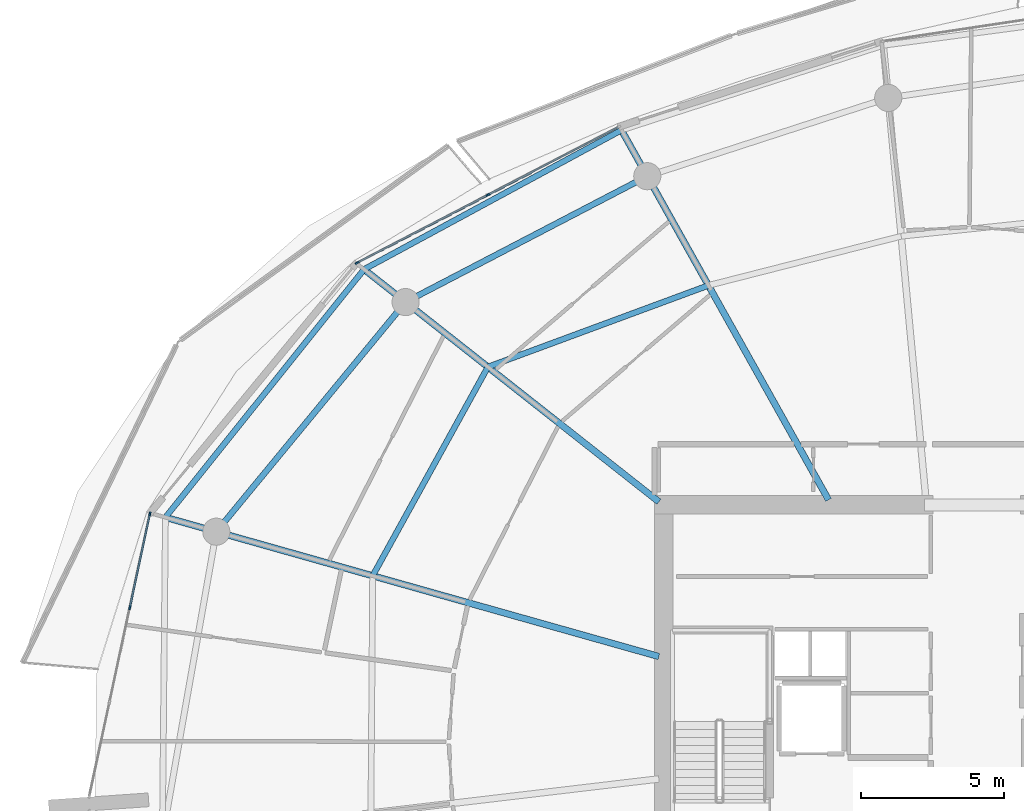
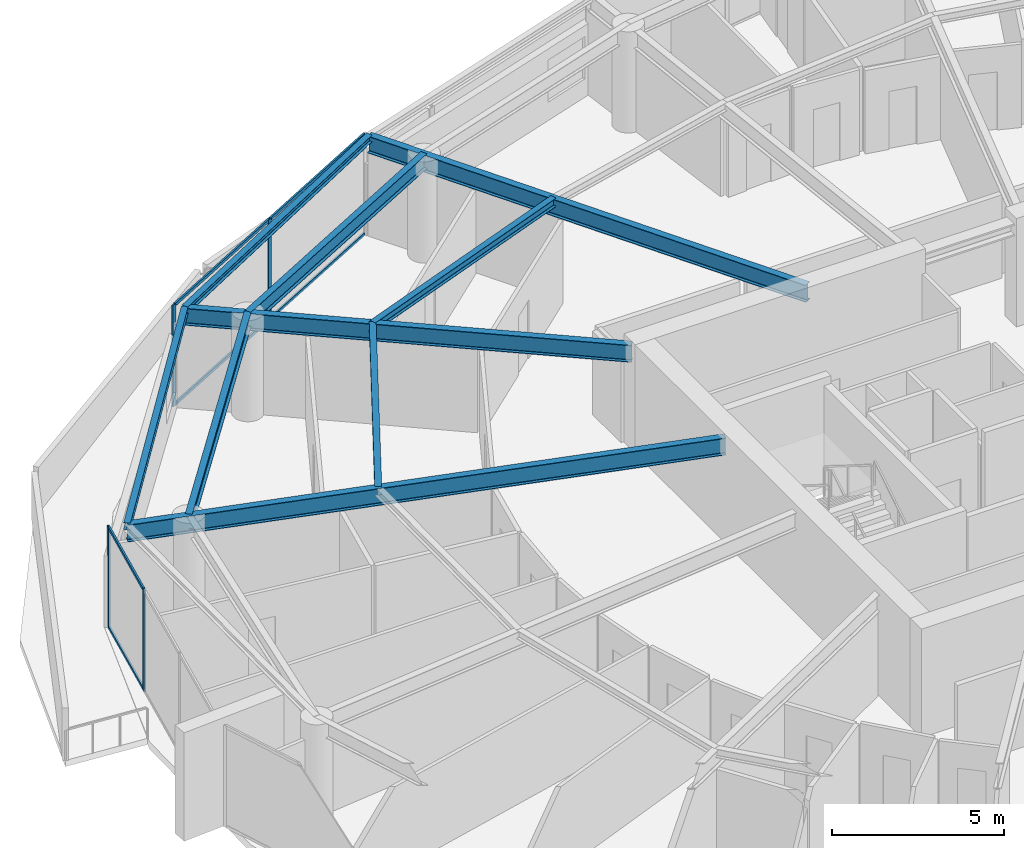
# One storey, part 12 of 31: 10 members, 9 beams, 2 elements without a shape of their own.
"""IFC4 building model written with IfcOpenShell, lengths in metres."""

import ifcopenshell
import ifcopenshell.guid

model = None  # the IFC model being written
_history = None  # IfcOwnerHistory: only IFC2X3 demands one
_inside = {}  # id of a spatial element -> (the spatial element, [elements in it])
_under = {}  # id of a project, library or spatial element -> (it, [spatial elements below it])
_declared = {}  # id of a project -> (the project, [libraries it declares])
_typed = {}  # id of a type object -> (the type object, [elements of that type])
_made_of = {}  # id of a material, layer set ... -> (it, [elements and type objects made of it])


def new_model(schema):
    """Start an empty IFC model of exactly this schema.

    Asked for "IFC4X3", IfcOpenShell would pick the latest addendum, in which some entities
    have other attributes; the version numbers below select the first issue.
    IFC2X3 requires an IfcOwnerHistory on every rooted entity: one is made here for all.
    """
    global model, _history
    if schema == "IFC4X3":
        model = ifcopenshell.file(schema_version=(4, 3, 0, 0))
    else:
        model = ifcopenshell.file(schema=schema)
    _inside.clear()
    _under.clear()
    _declared.clear()
    _typed.clear()
    _made_of.clear()
    _history = None
    if model.schema == "IFC2X3":
        org = make("IfcOrganization", Name="unknown")
        user = make(
            "IfcPersonAndOrganization",
            ThePerson=make("IfcPerson", FamilyName="unknown"),
            TheOrganization=org,
        )
        app = make(
            "IfcApplication",
            ApplicationDeveloper=org,
            Version="unknown",
            ApplicationFullName="unknown",
            ApplicationIdentifier="unknown",
        )
        _history = make(
            "IfcOwnerHistory",
            OwningUser=user,
            OwningApplication=app,
            ChangeAction="ADDED",
            CreationDate=0,
        )
    return model


def make(cls, **values):
    """One entity of the class cls with the attributes given. An attribute that is None is left unset."""
    return model.create_entity(
        cls, **{name: value for name, value in values.items() if value is not None}
    )


def rooted(cls, **values):
    """An entity with a GlobalId (a new one), such as an element, a storey or a relation."""
    return make(cls, GlobalId=ifcopenshell.guid.new(), OwnerHistory=_history, **values)


def si_unit(unit_type, name, prefix=None):
    """IfcSIUnit, for example si_unit("LENGTHUNIT", "METRE", prefix="MILLI")."""
    return make("IfcSIUnit", UnitType=unit_type, Prefix=prefix, Name=name)


def assignment(units):
    """IfcUnitAssignment: the units of a project."""
    return None if units is None else make("IfcUnitAssignment", Units=units)


def point(xyz):
    """IfcCartesianPoint."""
    return None if xyz is None else make("IfcCartesianPoint", Coordinates=xyz)


def direction(xyz):
    """IfcDirection."""
    return None if xyz is None else make("IfcDirection", DirectionRatios=xyz)


def frame(location, z_axis=None, x_axis=None):
    """IfcAxis2Placement3D, a coordinate frame: its origin and axes. An axis left out is left unset."""
    return make(
        "IfcAxis2Placement3D",
        Location=point(location),
        Axis=direction(z_axis),
        RefDirection=direction(x_axis),
    )


def frame_2d(location, x_axis=None):
    """IfcAxis2Placement2D, a coordinate frame in the plane: its origin and x axis."""
    return make(
        "IfcAxis2Placement2D", Location=point(location), RefDirection=direction(x_axis)
    )


def origin():
    """The frame at (0, 0, 0) with its axes left unset."""
    return frame((0.0, 0.0, 0.0))


def origin_2d():
    """The frame at (0, 0) in the plane with its x axis left unset."""
    return frame_2d((0.0, 0.0))


def place(relative_to, where):
    """IfcLocalPlacement: puts the frame where relative to a parent placement (None: the world)."""
    return make(
        "IfcLocalPlacement", PlacementRelTo=relative_to, RelativePlacement=where
    )


def context(
    kind, dimensions, precision=None, world=None, true_north=None, identifier=None
):
    """IfcGeometricRepresentationContext, for example the 3D "Model" context."""
    return make(
        "IfcGeometricRepresentationContext",
        ContextIdentifier=identifier,
        ContextType=kind,
        CoordinateSpaceDimension=dimensions,
        Precision=precision,
        WorldCoordinateSystem=world,
        TrueNorth=true_north,
    )


def subcontext(parent, identifier, kind, view, scale=None):
    """IfcGeometricRepresentationSubContext, for example "Body" below "Model"."""
    return make(
        "IfcGeometricRepresentationSubContext",
        ContextIdentifier=identifier,
        ContextType=kind,
        ParentContext=parent,
        TargetScale=scale,
        TargetView=view,
    )


def project(units=None, contexts=None):
    """IfcProject with its units and contexts."""
    return rooted(
        "IfcProject",
        Name="project",
        RepresentationContexts=contexts,
        UnitsInContext=assignment(units),
    )


def spatial(cls, under=None, at=None, **own):
    """A site, building, storey or space (cls), placed at a placement, below another one or the project."""
    s = rooted(cls, ObjectPlacement=at, **own)
    if under is not None:
        _under.setdefault(under.id(), (under, []))[1].append(s)
    return s


def profile(cls, at=None, kind="AREA", **sizes):
    """A parametric profile (cls). Its sizes go by their IFC names, for example OverallWidth=200.0."""
    return make(cls, ProfileType=kind, Position=at, **sizes)


def rectangle(**sizes):
    """IfcRectangleProfileDef."""
    return profile("IfcRectangleProfileDef", **sizes)


def i_section(**sizes):
    """IfcIShapeProfileDef."""
    return profile("IfcIShapeProfileDef", **sizes)


def extrude(swept, where, along, depth):
    """IfcExtrudedAreaSolid: the profile swept, set in the frame where, extruded along a direction by depth."""
    return make(
        "IfcExtrudedAreaSolid",
        SweptArea=swept,
        Position=where,
        ExtrudedDirection=direction(along),
        Depth=depth,
    )


def shape(context_of_items, identifier, shape_type, items):
    """IfcShapeRepresentation: the items that make up one representation, for example the "Body"."""
    return make(
        "IfcShapeRepresentation",
        ContextOfItems=context_of_items,
        RepresentationIdentifier=identifier,
        RepresentationType=shape_type,
        Items=items,
    )


def material(Name=None, Category=None):
    """IfcMaterial."""
    return make("IfcMaterial", Name=Name, Category=Category)


def layer(
    of_material, thickness, ventilated=None, Name=None, Category=None, Priority=None
):
    """IfcMaterialLayer: one layer of a wall or slab, of a material (None: an air gap)."""
    return make(
        "IfcMaterialLayer",
        Material=of_material,
        LayerThickness=thickness,
        IsVentilated=ventilated,
        Name=Name,
        Category=Category,
        Priority=Priority,
    )


def layer_set(layers, Name=None):
    """IfcMaterialLayerSet."""
    return make("IfcMaterialLayerSet", MaterialLayers=layers, LayerSetName=Name)


def material_profile(
    of_material, cross_section, Name=None, Category=None, Priority=None
):
    """IfcMaterialProfile: a cross section and its material."""
    return make(
        "IfcMaterialProfile",
        Name=Name,
        Material=of_material,
        Profile=cross_section,
        Priority=Priority,
        Category=Category,
    )


def profile_set(profiles, Name=None, composite=None):
    """IfcMaterialProfileSet."""
    return make(
        "IfcMaterialProfileSet",
        Name=Name,
        MaterialProfiles=profiles,
        CompositeProfile=composite,
    )


def made_of(thing, what):
    """Note that an element or type object is made of a material, layer set ...; save() writes the relation."""
    if what is not None:
        _made_of.setdefault(what.id(), (what, []))[1].append(thing)
    return thing


def type_object(cls, material=None, **own):
    """A type object (cls), such as IfcWallType, which elements share."""
    return made_of(rooted(cls, **own), material)


def element(
    cls,
    number,
    at=None,
    inside=None,
    cuts=None,
    type_object=None,
    material=None,
    context=None,
    identifier="Body",
    shape_type=None,
    held_by="IfcProductDefinitionShape",
    body=None,
    shapes=None,
    **own,
):
    """One element of the class cls, such as IfcWall. Its Tag is "e" and its number.

    at: its placement. inside: the storey or other place that contains it. cuts: it is an
    opening in that element (IfcRelVoidsElement). A single representation is given by context,
    identifier, shape_type and body (its items); several are given by shapes. held_by: the class
    of the entity that holds the representations. save() writes the other relations.
    """
    e = rooted(cls, Tag="e%d" % number, ObjectPlacement=at, **own)
    if body is not None:
        shapes = [shape(context, identifier, shape_type, body)]
    if shapes is not None:
        e.Representation = make(held_by, Representations=shapes)
    if inside is not None:
        _inside.setdefault(inside.id(), (inside, []))[1].append(e)
    if cuts is not None:
        rooted(
            "IfcRelVoidsElement", RelatingBuildingElement=cuts, RelatedOpeningElement=e
        )
    if type_object is not None:
        _typed.setdefault(type_object.id(), (type_object, []))[1].append(e)
    return made_of(e, material)


def aggregate(whole, parts):
    """IfcRelAggregates: a whole, such as a stair, and the parts it consists of."""
    return rooted("IfcRelAggregates", RelatingObject=whole, RelatedObjects=parts)


def save(model, path):
    """Write the relations noted so far, then the file.

    IfcRelAggregates (storeys below a building ...), IfcRelContainedInSpatialStructure (elements
    in a storey), IfcRelDefinesByType, IfcRelAssociatesMaterial and IfcRelDeclares: one each for
    every whole, place, type object, material and project.
    """
    for whole, parts in _under.values():
        aggregate(whole, parts)
    for where, things in _inside.values():
        rooted(
            "IfcRelContainedInSpatialStructure",
            RelatedElements=things,
            RelatingStructure=where,
        )
    for kind, things in _typed.values():
        rooted("IfcRelDefinesByType", RelatedObjects=things, RelatingType=kind)
    for what, things in _made_of.values():
        rooted("IfcRelAssociatesMaterial", RelatedObjects=things, RelatingMaterial=what)
    for by, libraries in _declared.values():
        rooted("IfcRelDeclares", RelatingContext=by, RelatedDefinitions=libraries)
    model.write(path)


model = new_model("IFC4")

# Units and contexts
model_context = context("Model", 3, precision=1e-05, world=origin(), true_north=direction((0.0, 1.0)))
body_context = subcontext(model_context, "Body", "Model", "MODEL_VIEW")
ifc_project = project(units=[si_unit("LENGTHUNIT", "METRE"), si_unit("AREAUNIT", "SQUARE_METRE"), si_unit("VOLUMEUNIT", "CUBIC_METRE"), si_unit("PLANEANGLEUNIT", "RADIAN"), si_unit("MASSUNIT", "GRAM", prefix="KILO")], contexts=[model_context])

# Site, building, storey
site_placement = place(None, origin())
site = spatial("IfcSite", under=ifc_project, at=site_placement, CompositionType="ELEMENT")
building_placement = place(site_placement, origin())
building = spatial("IfcBuilding", under=site, at=building_placement, Name="Kazma Halo Residences", CompositionType="ELEMENT")
storey_placement = place(building_placement, frame((0.0, 0.0, 259.800048828125)))
storey = spatial("IfcBuildingStorey", under=building, at=storey_placement, Name="L65", CompositionType="ELEMENT", Elevation=259.800048828125)

# Beams
ifc_material_1 = material(Name="Steel S355", Category="steel")
ifc_material_profile_1 = material_profile(ifc_material_1, i_section(OverallWidth=0.201904296875, OverallDepth=0.2470703125, WebThickness=0.00732421875, FlangeThickness=0.010986328125, FilletRadius=0.011962890625, at=origin_2d()), Name="W250x49.1")
ifc_profile_set_1 = profile_set([ifc_material_profile_1], Name="Steel S355")
beam_type_1 = type_object("IfcBeamType", Name="BM-BAL-CANT", PredefinedType="BEAM", material=ifc_profile_set_1)
beam_1_placement = place(storey_placement, frame((35.990478515625, 63.444580078125, 3.466552734375), z_axis=(-0.879517282036, -0.475866946321, 0.0), x_axis=(0.475866946321, -0.879517282036, 0.0)))
element("IfcBeam", 1, at=beam_1_placement, inside=storey, type_object=beam_type_1, Name="L65 wave-balcony tie beam 05", PredefinedType="BEAM", context=body_context, shape_type="SweptSolid", body=[
    extrude(i_section(OverallWidth=0.201904296875, OverallDepth=0.2470703125, WebThickness=0.00732421875, FlangeThickness=0.010986328125, FilletRadius=0.011962890625, at=origin_2d()), origin(), (0.0, 0.0, 1.0), 10.243408203125),
])
beam_2_placement = place(storey_placement, frame((26.981201171875, 58.570068359375, 3.466552734375), z_axis=(-0.625117912406, -0.780530329705, 0.0), x_axis=(0.780530329705, -0.625117912406, 0.0)))
element("IfcBeam", 2, at=beam_2_placement, inside=storey, type_object=beam_type_1, Name="L65 wave-balcony tie beam 06", PredefinedType="BEAM", context=body_context, shape_type="SweptSolid", body=[
    extrude(i_section(OverallWidth=0.201904296875, OverallDepth=0.2470703125, WebThickness=0.00732421875, FlangeThickness=0.010986328125, FilletRadius=0.011962890625, at=origin_2d()), origin(), (0.0, 0.0, 1.0), 11.1220703125),
])
ifc_material_profile_2 = material_profile(ifc_material_1, i_section(OverallWidth=0.22802734375, OverallDepth=0.60791015625, WebThickness=0.01123046875, FlangeThickness=0.017333984375, FilletRadius=0.01806640625, at=origin_2d()), Name="W610x113")
ifc_profile_set_2 = profile_set([ifc_material_profile_2], Name="Steel S355")
beam_type_2 = type_object("IfcBeamType", Name="BM-RAD-W610", PredefinedType="BEAM", material=ifc_profile_set_2)
beam_3_placement = place(storey_placement, frame((43.23974609375, 50.5, 3.285888671875), z_axis=(-0.488618902548, 0.872497316943, 0.0), x_axis=(-0.872497316943, -0.488618902548, 0.0)))
element("IfcBeam", 3, at=beam_3_placement, inside=storey, type_object=beam_type_2, Name="L65 radial floor beam 05", PredefinedType="BEAM", context=body_context, shape_type="SweptSolid", body=[
    extrude(i_section(OverallWidth=0.22802734375, OverallDepth=0.60791015625, WebThickness=0.01123046875, FlangeThickness=0.017333984375, FilletRadius=0.01806640625, at=origin_2d()), origin(), (0.0, 0.0, 1.0), 14.836181640625),
])
beam_4_placement = place(storey_placement, frame((37.300048828125, 50.435302734375, 3.285888671875), z_axis=(-0.785315374811, 0.61909592317, 0.0), x_axis=(-0.61909592317, -0.785315374811, 0.0)))
element("IfcBeam", 4, at=beam_4_placement, inside=storey, type_object=beam_type_2, Name="L65 radial floor beam 06", PredefinedType="BEAM", context=body_context, shape_type="SweptSolid", body=[
    extrude(i_section(OverallWidth=0.22802734375, OverallDepth=0.60791015625, WebThickness=0.01123046875, FlangeThickness=0.017333984375, FilletRadius=0.01806640625, at=origin_2d()), origin(), (0.0, 0.0, 1.0), 13.1396484375),
])
beam_5_placement = place(storey_placement, frame((37.300048828125, 45.017578125, 3.285888671875), z_axis=(-0.962451225349, 0.271454671766, 0.0), x_axis=(-0.271454671766, -0.962451225349, 0.0)))
element("IfcBeam", 5, at=beam_5_placement, inside=storey, type_object=beam_type_2, Name="L65 radial floor beam 07", PredefinedType="BEAM", context=body_context, shape_type="SweptSolid", body=[
    extrude(i_section(OverallWidth=0.22802734375, OverallDepth=0.60791015625, WebThickness=0.01123046875, FlangeThickness=0.017333984375, FilletRadius=0.01806640625, at=origin_2d()), origin(), (0.0, 0.0, 1.0), 17.9453125),
])
ifc_material_profile_3 = material_profile(ifc_material_1, i_section(OverallWidth=0.202880859375, OverallDepth=0.302978515625, WebThickness=0.007568359375, FlangeThickness=0.01318359375, FilletRadius=0.013916015625, at=origin_2d()), Name="W310x60")
ifc_profile_set_3 = profile_set([ifc_material_profile_3], Name="Steel S355")
beam_type_3 = type_object("IfcBeamType", Name="BM-SEC-W310A", PredefinedType="JOIST", material=ifc_profile_set_3)
beam_6_placement = place(storey_placement, frame((39.035400390625, 58.0078125, 3.4384765625), z_axis=(-0.937943961726, -0.346786857683, 0.0), x_axis=(0.346786857683, -0.937943961726, 0.0)))
element("IfcBeam", 6, at=beam_6_placement, inside=storey, type_object=beam_type_3, Name="L65 circumferential floor joist 05", PredefinedType="JOIST", context=body_context, shape_type="SweptSolid", body=[
    extrude(i_section(OverallWidth=0.202880859375, OverallDepth=0.302978515625, WebThickness=0.007568359375, FlangeThickness=0.01318359375, FilletRadius=0.013916015625, at=origin_2d()), origin(), (0.0, 0.0, 1.0), 8.231201171875),
])
beam_7_placement = place(storey_placement, frame((31.31494140625, 55.1533203125, 3.4384765625), z_axis=(-0.483003900912, -0.875618199733, 0.0), x_axis=(0.875618199733, -0.483003900912, 0.0)))
element("IfcBeam", 7, at=beam_7_placement, inside=storey, type_object=beam_type_3, Name="L65 circumferential floor joist 06", PredefinedType="JOIST", context=body_context, shape_type="SweptSolid", body=[
    extrude(i_section(OverallWidth=0.202880859375, OverallDepth=0.302978515625, WebThickness=0.007568359375, FlangeThickness=0.01318359375, FilletRadius=0.013916015625, at=origin_2d()), origin(), (0.0, 0.0, 1.0), 8.3486328125),
])
ifc_material_profile_4 = material_profile(ifc_material_1, i_section(OverallWidth=0.208984375, OverallDepth=0.532958984375, WebThickness=0.01025390625, FlangeThickness=0.015625, FilletRadius=0.01611328125, at=origin_2d()), Name="W530x92")
ifc_profile_set_4 = profile_set([ifc_material_profile_4], Name="Steel S355")
beam_type_4 = type_object("IfcBeamType", Name="BM-SPN-W530", PredefinedType="BEAM", material=ifc_profile_set_4)
beam_8_placement = place(storey_placement, frame((36.89453125, 61.830322265625, 3.323486328125), z_axis=(-0.886961047115, -0.461844238788, 0.0), x_axis=(0.461844238788, -0.886961047115, 0.0)))
element("IfcBeam", 8, at=beam_8_placement, inside=storey, type_object=beam_type_4, Name="L65 perimeter ring beam 05", PredefinedType="BEAM", context=body_context, shape_type="SweptSolid", body=[
    extrude(i_section(OverallWidth=0.208984375, OverallDepth=0.532958984375, WebThickness=0.01025390625, FlangeThickness=0.015625, FilletRadius=0.01611328125, at=origin_2d()), origin(), (0.0, 0.0, 1.0), 9.5390625),
])
beam_9_placement = place(storey_placement, frame((28.433837890625, 57.4248046875, 3.323486328125), z_axis=(-0.636002144225, -0.771687289348, 0.0), x_axis=(0.771687289348, -0.636002144225, 0.0)))
element("IfcBeam", 9, at=beam_9_placement, inside=storey, type_object=beam_type_4, Name="L65 perimeter ring beam 06", PredefinedType="BEAM", context=body_context, shape_type="SweptSolid", body=[
    extrude(i_section(OverallWidth=0.208984375, OverallDepth=0.532958984375, WebThickness=0.01025390625, FlangeThickness=0.015625, FilletRadius=0.01611328125, at=origin_2d()), origin(), (0.0, 0.0, 1.0), 10.416259765625),
])

# Curtain wall, members
ifc_material_2 = material(Name="Aluminium AW-6063 T6 and Triple-Silver Low-E Glass", Category="aluminium")
ifc_layer = layer(ifc_material_2, 0.139892578125)
ifc_layer_set = layer_set([ifc_layer], Name="Aluminium AW-6063 T6 and Triple-Silver Low-E Glass")
curtain_wall_type = type_object("IfcCurtainWallType", Name="CW-SYS-5", PredefinedType="NOTDEFINED", material=ifc_layer_set)
curtain_wall_1_placement = place(storey_placement, origin())
curtain_wall_1 = element("IfcCurtainWall", 10, at=curtain_wall_1_placement, inside=storey, type_object=curtain_wall_type, Name="L65 unitised curtain wall B05", PredefinedType="NOTDEFINED")
ifc_material_3 = material(Name="Aluminium AW-6063 T6", Category="aluminium")
ifc_material_profile_5 = material_profile(ifc_material_3, rectangle(XDim=0.06005859375, YDim=0.139892578125, at=origin_2d()), Name="CWM-60x140")
ifc_profile_set_5 = profile_set([ifc_material_profile_5], Name="Aluminium AW-6063 T6")
member_type_1 = type_object("IfcMemberType", Name="CW-SYS-5-MUL", PredefinedType="MULLION", material=ifc_profile_set_5)
member_1_placement = place(storey_placement, frame((31.31591796875, 61.175537109375, 0.0), z_axis=(0.0, 0.0, 1.0), x_axis=(0.460960760804, -0.887420518694, 0.0)))
member_1 = element("IfcMember", 11, at=member_1_placement, type_object=member_type_1, Name="CWS-5 mullion 2", PredefinedType="MULLION", context=body_context, shape_type="SweptSolid", body=[
    extrude(rectangle(XDim=0.06005859375, YDim=0.139892578125, at=origin_2d()), origin(), (0.0, 0.0, 1.0), 3.58984375),
])
member_2_placement = place(storey_placement, frame((26.737060546875, 58.797119140625, 0.0), z_axis=(0.0, 0.0, 1.0), x_axis=(0.460960760804, -0.887420518694, 0.0)))
member_2 = element("IfcMember", 12, at=member_2_placement, type_object=member_type_1, Name="CWS-5 mullion 3", PredefinedType="MULLION", context=body_context, shape_type="SweptSolid", body=[
    extrude(rectangle(XDim=0.06005859375, YDim=0.139892578125, at=origin_2d()), origin(), (0.0, 0.0, 1.0), 3.58984375),
])

curtain_wall_2_placement = place(storey_placement, origin())
curtain_wall_2 = element("IfcCurtainWall", 13, at=curtain_wall_2_placement, inside=storey, type_object=curtain_wall_type, Name="L65 unitised curtain wall B07", PredefinedType="NOTDEFINED")
member_3_placement = place(storey_placement, frame((19.485107421875, 50.010986328125, 0.0), z_axis=(0.0, 0.0, 1.0), x_axis=(0.97777491373, -0.209657382603, 0.0)))
member_3 = element("IfcMember", 14, at=member_3_placement, type_object=member_type_1, Name="CWS-5 mullion 1", PredefinedType="MULLION", context=body_context, shape_type="SweptSolid", body=[
    extrude(rectangle(XDim=0.06005859375, YDim=0.139892578125, at=origin_2d()), origin(), (0.0, 0.0, 1.0), 3.58984375),
])
member_4_placement = place(storey_placement, frame((18.781005859375, 46.7265625, 0.0), z_axis=(0.0, 0.0, 1.0), x_axis=(0.97777491373, -0.209657382603, 0.0)))
member_4 = element("IfcMember", 15, at=member_4_placement, type_object=member_type_1, Name="CWS-5 mullion 2", PredefinedType="MULLION", context=body_context, shape_type="SweptSolid", body=[
    extrude(rectangle(XDim=0.06005859375, YDim=0.139892578125, at=origin_2d()), origin(), (0.0, 0.0, 1.0), 3.58984375),
])

# Member
ifc_material_profile_6 = material_profile(ifc_material_3, rectangle(XDim=0.06005859375, YDim=0.10498046875, at=origin_2d()), Name="CWT-60x105")
ifc_profile_set_6 = profile_set([ifc_material_profile_6], Name="Aluminium AW-6063 T6")
member_type_2 = type_object("IfcMemberType", Name="CW-SYS-5-TRN", PredefinedType="USERDEFINED", material=ifc_profile_set_6)
member_5_placement = place(storey_placement, frame((35.8681640625, 63.5400390625, 0.030029296875), z_axis=(-0.887436955863, -0.46092911534, 0.0), x_axis=(0.46092911534, -0.887436955863, 0.0)))
member_5 = element("IfcMember", 16, at=member_5_placement, type_object=member_type_2, Name="CWS-5 transom 1.1", ObjectType="TRANSOM", PredefinedType="USERDEFINED", context=body_context, shape_type="SweptSolid", body=[
    extrude(rectangle(XDim=0.06005859375, YDim=0.10498046875, at=origin_2d()), origin(), (0.0, 0.0, 1.0), 5.099609375),
])

member_6_placement = place(storey_placement, frame((35.8681640625, 63.5400390625, 3.56005859375), z_axis=(-0.887436955863, -0.46092911534, 0.0), x_axis=(0.46092911534, -0.887436955863, 0.0)))
member_6 = element("IfcMember", 17, at=member_6_placement, type_object=member_type_2, Name="CWS-5 transom 1.2", ObjectType="TRANSOM", PredefinedType="USERDEFINED", context=body_context, shape_type="SweptSolid", body=[
    extrude(rectangle(XDim=0.06005859375, YDim=0.10498046875, at=origin_2d()), origin(), (0.0, 0.0, 1.0), 5.099609375),
])

member_7_placement = place(storey_placement, frame((31.289306640625, 61.16162109375, 0.030029296875), z_axis=(-0.887436955863, -0.46092911534, 0.0), x_axis=(0.46092911534, -0.887436955863, 0.0)))
member_7 = element("IfcMember", 18, at=member_7_placement, type_object=member_type_2, Name="CWS-5 transom 2.1", ObjectType="TRANSOM", PredefinedType="USERDEFINED", context=body_context, shape_type="SweptSolid", body=[
    extrude(rectangle(XDim=0.06005859375, YDim=0.10498046875, at=origin_2d()), origin(), (0.0, 0.0, 1.0), 5.099609375),
])

member_8_placement = place(storey_placement, frame((31.289306640625, 61.16162109375, 3.56005859375), z_axis=(-0.887436955863, -0.46092911534, 0.0), x_axis=(0.46092911534, -0.887436955863, 0.0)))
member_8 = element("IfcMember", 19, at=member_8_placement, type_object=member_type_2, Name="CWS-5 transom 2.2", ObjectType="TRANSOM", PredefinedType="USERDEFINED", context=body_context, shape_type="SweptSolid", body=[
    extrude(rectangle(XDim=0.06005859375, YDim=0.10498046875, at=origin_2d()), origin(), (0.0, 0.0, 1.0), 5.099609375),
])

aggregate(curtain_wall_1, [member_1, member_2, member_5, member_6, member_7, member_8])

member_9_placement = place(storey_placement, frame((19.47900390625, 49.9814453125, 0.030029296875), z_axis=(-0.209660493552, -0.977774246666, 0.0), x_axis=(0.977774246666, -0.209660493552, 0.0)))
member_9 = element("IfcMember", 20, at=member_9_placement, type_object=member_type_2, Name="CWS-5 transom 1.1", ObjectType="TRANSOM", PredefinedType="USERDEFINED", context=body_context, shape_type="SweptSolid", body=[
    extrude(rectangle(XDim=0.06005859375, YDim=0.10498046875, at=origin_2d()), origin(), (0.0, 0.0, 1.0), 3.298828125),
])

member_10_placement = place(storey_placement, frame((19.47900390625, 49.9814453125, 3.56005859375), z_axis=(-0.209660493552, -0.977774246666, 0.0), x_axis=(0.977774246666, -0.209660493552, 0.0)))
member_10 = element("IfcMember", 21, at=member_10_placement, type_object=member_type_2, Name="CWS-5 transom 1.2", ObjectType="TRANSOM", PredefinedType="USERDEFINED", context=body_context, shape_type="SweptSolid", body=[
    extrude(rectangle(XDim=0.06005859375, YDim=0.10498046875, at=origin_2d()), origin(), (0.0, 0.0, 1.0), 3.298828125),
])

aggregate(curtain_wall_2, [member_3, member_4, member_9, member_10])

save(model, "model.ifc")
